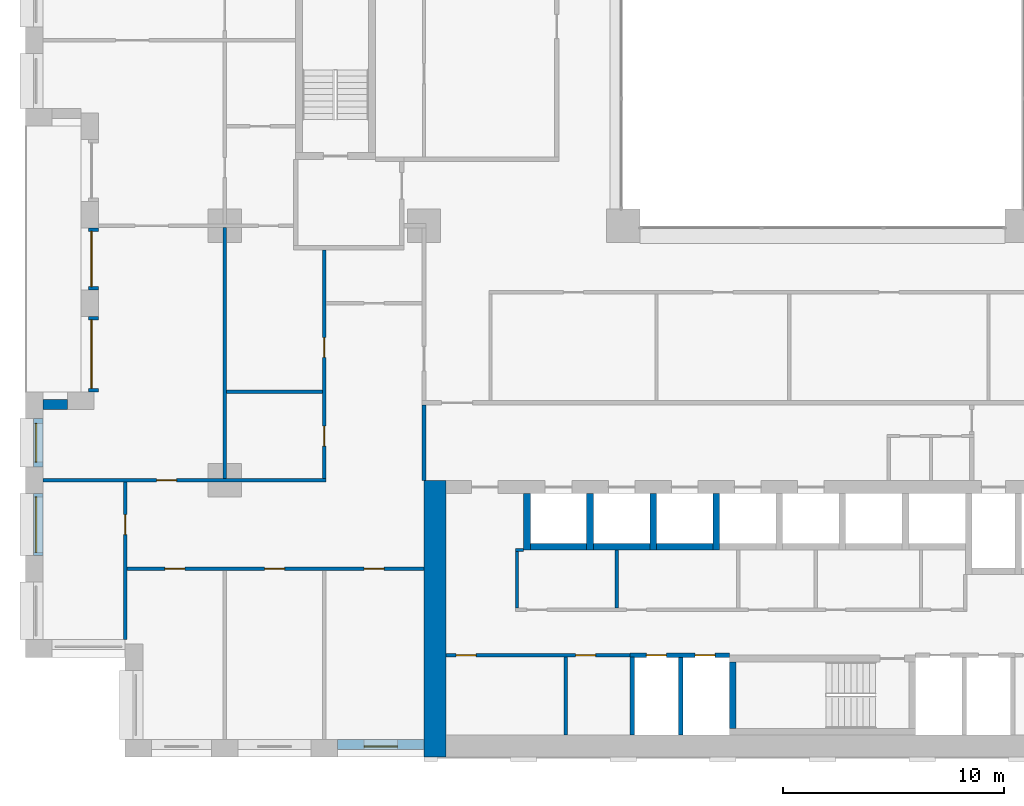
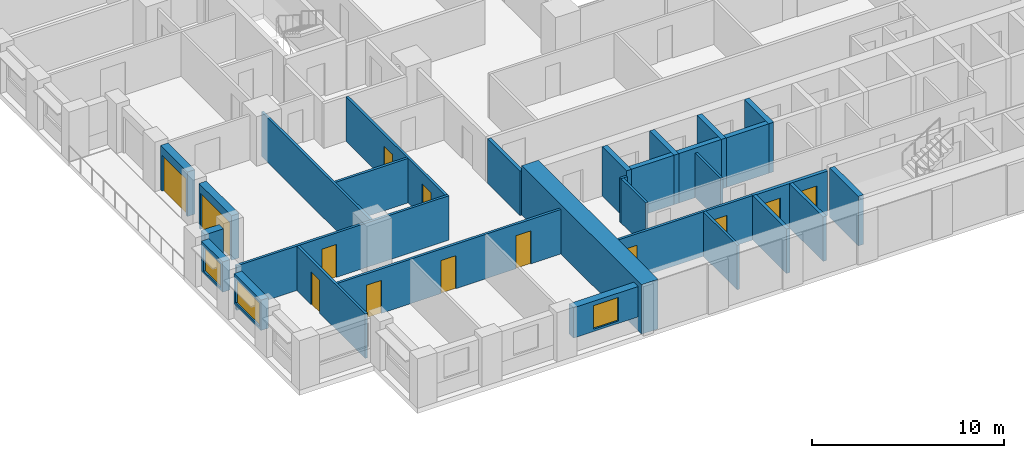
# One storey, part 9 of 19: 30 walls, 13 doors, 3 windows, 16 openings.
"""IFC4 building model written with IfcOpenShell, lengths in metres."""

from ifc_helpers import new_model, si_unit, direction, frame, frame_2d, origin, place, context, subcontext, project, spatial, rectangle, extrude, material, layer, layer_set, type_object, element, fill, save


model = new_model("IFC4")

# Units and contexts
model_context = context("Model", 3, precision=1e-05, world=origin(), true_north=direction((0.0, 1.0)))
body_context = subcontext(model_context, "Body", "Model", "MODEL_VIEW")
ifc_project = project(units=[si_unit("LENGTHUNIT", "METRE"), si_unit("AREAUNIT", "SQUARE_METRE"), si_unit("VOLUMEUNIT", "CUBIC_METRE"), si_unit("PLANEANGLEUNIT", "RADIAN"), si_unit("MASSUNIT", "GRAM", prefix="KILO")], contexts=[model_context])

# Site, building, storey
site_placement = place(None, origin())
site = spatial("IfcSite", under=ifc_project, at=site_placement, CompositionType="ELEMENT")
building_placement = place(site_placement, origin())
building = spatial("IfcBuilding", under=site, at=building_placement, Name="Brigalow Station Residences", CompositionType="ELEMENT")
storey_placement = place(building_placement, frame((0.0, 0.0, 28.949951171875)))
storey = spatial("IfcBuildingStorey", under=building, at=storey_placement, Name="L07", CompositionType="ELEMENT", Elevation=28.949951171875)

# Wall, opening, window
ifc_material_1 = material(Name="Clay brick masonry", Category="masonry")
ifc_layer_1 = layer(ifc_material_1, 0.449951171875)
ifc_layer_set_1 = layer_set([ifc_layer_1], Name="BRICK INFILL WALL 450")
wall_type_1 = type_object("IfcWallType", Name="BRICK INFILL WALL 450", PredefinedType="SOLIDWALL", material=ifc_layer_set_1)
wall_1_placement = place(storey_placement, frame((14.10009765625, 0.574951171875, 0.900146484375), z_axis=(0.0, 0.0, 1.0), x_axis=(1.0, 0.0, 0.0)))
wall_1 = element("IfcWall", 1, at=wall_1_placement, inside=storey, type_object=wall_type_1, Name="L07/ewall/W-L07-3", PredefinedType="SOLIDWALL", context=body_context, shape_type="SweptSolid", body=[
    extrude(rectangle(XDim=3.89990234375, YDim=0.449951171875, at=frame_2d((1.949951171875, 0.0))), origin(), (0.0, 0.0, 1.0), 1.929931640625),
])
opening_1_placement = place(wall_1_placement, frame((1.199951171875, 0.0, 0.14990234375)))
opening_1 = element("IfcOpeningElement", 2, at=opening_1_placement, cuts=wall_1, Name="Opening WT-1", PredefinedType="OPENING", context=body_context, shape_type="SweptSolid", body=[
    extrude(rectangle(XDim=1.5, YDim=1.5, at=frame_2d((0.75, 0.75))), frame((0.0, 0.23486328125, 0.0), z_axis=(0.0, -1.0, 0.0), x_axis=(1.0, 0.0, 0.0)), (0.0, 0.0, 1.0), 0.469970703125),
])
ifc_material_2 = material(Name="Anodised aluminium frame with double glazing", Category="aluminium")
window_type_1 = type_object("IfcWindowType", Name="WINDOW 1500x1500", PartitioningType="SINGLE_PANEL", PredefinedType="WINDOW", material=ifc_material_2)
window_1_placement = place(opening_1_placement, origin())
window_1 = element("IfcWindow", 3, at=window_1_placement, inside=storey, type_object=window_type_1, Name="L07/window/W-L07-3", OverallHeight=1.5, OverallWidth=1.5, PartitioningType="SINGLE_PANEL", PredefinedType="WINDOW", context=body_context, shape_type="SweptSolid", body=[
    extrude(rectangle(XDim=1.5, YDim=1.5, at=frame_2d((0.75, 0.75))), frame((0.0, -0.06494140625, 0.0), z_axis=(0.0, -1.0, 0.0), x_axis=(1.0, 0.0, 0.0)), (0.0, 0.0, 1.0), 0.06005859375),
])
fill(opening_1, window_1)

# Wall, opening, door
wall_2_placement = place(storey_placement, frame((3.074951171875, 23.89990234375, 0.0), z_axis=(0.0, 0.0, 1.0), x_axis=(0.0, -1.0, 0.0)))
wall_2 = element("IfcWall", 4, at=wall_2_placement, inside=storey, type_object=wall_type_1, Name="L07/ewall/W-L07-48", PredefinedType="SOLIDWALL", context=body_context, shape_type="SweptSolid", body=[
    extrude(rectangle(XDim=2.7998046875, YDim=0.449951171875, at=frame_2d((1.39990234375, 0.0))), origin(), (0.0, 0.0, 1.0), 2.830078125),
])
opening_2_placement = place(wall_2_placement, frame((0.14990234375, 0.0, 0.0)))
opening_2 = element("IfcOpeningElement", 5, at=opening_2_placement, cuts=wall_2, Name="Opening D-B2500", PredefinedType="OPENING", context=body_context, shape_type="SweptSolid", body=[
    extrude(rectangle(XDim=2.5, YDim=2.300048828125, at=frame_2d((1.25, 1.14990234375))), frame((0.0, 0.23486328125, 0.0), z_axis=(0.0, -1.0, 0.0), x_axis=(1.0, 0.0, 0.0)), (0.0, 0.0, 1.0), 0.469970703125),
])
ifc_material_3 = material(Name="Anodised aluminium frame with double glazing", Category="aluminium")
door_type_1 = type_object("IfcDoorType", Name="BALCONY SLIDING DOOR 2500x2300", OperationType="SLIDING_TO_LEFT", PredefinedType="DOOR", material=ifc_material_3)
door_1_placement = place(opening_2_placement, origin())
door_1 = element("IfcDoor", 6, at=door_1_placement, inside=storey, type_object=door_type_1, Name="L07/balcony-door/W-L07-48", OperationType="SLIDING_TO_LEFT", OverallHeight=2.300048828125, OverallWidth=2.5, PredefinedType="DOOR", context=body_context, shape_type="SweptSolid", body=[
    extrude(rectangle(XDim=2.5, YDim=2.300048828125, at=frame_2d((1.25, 1.14990234375))), frame((0.0, -0.06982421875, 0.0), z_axis=(0.0, -1.0, 0.0), x_axis=(1.0, 0.0, 0.0)), (0.0, 0.0, 1.0), 0.050048828125),
])
fill(opening_2, door_1)

wall_3_placement = place(storey_placement, frame((3.074951171875, 19.89990234375, 0.0), z_axis=(0.0, 0.0, 1.0), x_axis=(0.0, -1.0, 0.0)))
wall_3 = element("IfcWall", 7, at=wall_3_placement, inside=storey, type_object=wall_type_1, Name="L07/ewall/W-L07-49", PredefinedType="SOLIDWALL", context=body_context, shape_type="SweptSolid", body=[
    extrude(rectangle(XDim=3.39990234375, YDim=0.449951171875, at=frame_2d((1.699951171875, 0.0))), origin(), (0.0, 0.0, 1.0), 2.830078125),
])
opening_3_placement = place(wall_3_placement, frame((0.14990234375, 0.0, 0.0)))
opening_3 = element("IfcOpeningElement", 8, at=opening_3_placement, cuts=wall_3, Name="Opening D-B3100", PredefinedType="OPENING", context=body_context, shape_type="SweptSolid", body=[
    extrude(rectangle(XDim=3.10009765625, YDim=2.300048828125, at=frame_2d((1.550048828125, 1.14990234375))), frame((0.0, 0.23486328125, 0.0), z_axis=(0.0, -1.0, 0.0), x_axis=(1.0, 0.0, 0.0)), (0.0, 0.0, 1.0), 0.469970703125),
])
ifc_material_4 = material(Name="Anodised aluminium frame with double glazing", Category="aluminium")
door_type_2 = type_object("IfcDoorType", Name="BALCONY SLIDING DOOR 3100x2300", OperationType="SLIDING_TO_LEFT", PredefinedType="DOOR", material=ifc_material_4)
door_2_placement = place(opening_3_placement, origin())
door_2 = element("IfcDoor", 9, at=door_2_placement, inside=storey, type_object=door_type_2, Name="L07/balcony-door/W-L07-49", OperationType="SLIDING_TO_LEFT", OverallHeight=2.300048828125, OverallWidth=3.10009765625, PredefinedType="DOOR", context=body_context, shape_type="SweptSolid", body=[
    extrude(rectangle(XDim=3.10009765625, YDim=2.300048828125, at=frame_2d((1.550048828125, 1.14990234375))), frame((0.0, -0.06982421875, 0.0), z_axis=(0.0, -1.0, 0.0), x_axis=(1.0, 0.0, 0.0)), (0.0, 0.0, 1.0), 0.050048828125),
])
fill(opening_3, door_2)

# Wall
wall_4_placement = place(storey_placement, frame((1.89990234375, 15.925048828125, 0.900146484375), z_axis=(0.0, 0.0, 1.0), x_axis=(-1.0, 0.0, 0.0)))
element("IfcWall", 10, at=wall_4_placement, inside=storey, type_object=wall_type_1, Name="L07/ewall/W-L07-50", PredefinedType="SOLIDWALL", context=body_context, shape_type="SweptSolid", body=[
    extrude(rectangle(XDim=1.099853515625, YDim=0.449951171875, at=frame_2d((0.5498046875, 0.0))), origin(), (0.0, 0.0, 1.0), 1.929931640625),
])

# Wall, opening, window
wall_5_placement = place(storey_placement, frame((0.574951171875, 15.300048828125, 0.900146484375), z_axis=(0.0, 0.0, 1.0), x_axis=(0.0, -1.0, 0.0)))
wall_5 = element("IfcWall", 11, at=wall_5_placement, inside=storey, type_object=wall_type_1, Name="L07/ewall/W-L07-51", PredefinedType="SOLIDWALL", context=body_context, shape_type="SweptSolid", body=[
    extrude(rectangle(XDim=2.199951171875, YDim=0.449951171875, at=frame_2d((1.10009765625, 0.0))), origin(), (0.0, 0.0, 1.0), 1.929931640625),
])
opening_4_placement = place(wall_5_placement, frame((0.22509765625, 0.0, 0.14990234375)))
opening_4 = element("IfcOpeningElement", 12, at=opening_4_placement, cuts=wall_5, Name="Opening WT-4", PredefinedType="OPENING", context=body_context, shape_type="SweptSolid", body=[
    extrude(rectangle(XDim=1.75, YDim=1.5, at=frame_2d((0.875, 0.75))), frame((0.0, 0.23486328125, 0.0), z_axis=(0.0, -1.0, 0.0), x_axis=(1.0, 0.0, 0.0)), (0.0, 0.0, 1.0), 0.469970703125),
])
ifc_material_5 = material(Name="Anodised aluminium frame with double glazing", Category="aluminium")
window_type_2 = type_object("IfcWindowType", Name="WINDOW 1750x1500", PartitioningType="SINGLE_PANEL", PredefinedType="WINDOW", material=ifc_material_5)
window_2_placement = place(opening_4_placement, origin())
window_2 = element("IfcWindow", 13, at=window_2_placement, inside=storey, type_object=window_type_2, Name="L07/window/W-L07-51", OverallHeight=1.5, OverallWidth=1.75, PartitioningType="SINGLE_PANEL", PredefinedType="WINDOW", context=body_context, shape_type="SweptSolid", body=[
    extrude(rectangle(XDim=1.75, YDim=1.5, at=frame_2d((0.875, 0.75))), frame((0.0, -0.06494140625, 0.0), z_axis=(0.0, -1.0, 0.0), x_axis=(1.0, 0.0, 0.0)), (0.0, 0.0, 1.0), 0.06005859375),
])
fill(opening_4, window_2)

wall_6_placement = place(storey_placement, frame((0.574951171875, 11.89990234375, 0.900146484375), z_axis=(0.0, 0.0, 1.0), x_axis=(0.0, -1.0, 0.0)))
wall_6 = element("IfcWall", 14, at=wall_6_placement, inside=storey, type_object=wall_type_1, Name="L07/ewall/W-L07-52", PredefinedType="SOLIDWALL", context=body_context, shape_type="SweptSolid", body=[
    extrude(rectangle(XDim=2.7998046875, YDim=0.449951171875, at=frame_2d((1.39990234375, 0.0))), origin(), (0.0, 0.0, 1.0), 1.929931640625),
])
opening_5_placement = place(wall_6_placement, frame((0.14990234375, 0.0, 0.14990234375)))
opening_5 = element("IfcOpeningElement", 15, at=opening_5_placement, cuts=wall_6, Name="Opening WT-5", PredefinedType="OPENING", context=body_context, shape_type="SweptSolid", body=[
    extrude(rectangle(XDim=2.5, YDim=1.5, at=frame_2d((1.25, 0.75))), frame((0.0, 0.23486328125, 0.0), z_axis=(0.0, -1.0, 0.0), x_axis=(1.0, 0.0, 0.0)), (0.0, 0.0, 1.0), 0.469970703125),
])
ifc_material_6 = material(Name="Anodised aluminium frame with double glazing", Category="aluminium")
window_type_3 = type_object("IfcWindowType", Name="WINDOW 2500x1500", PartitioningType="SINGLE_PANEL", PredefinedType="WINDOW", material=ifc_material_6)
window_3_placement = place(opening_5_placement, origin())
window_3 = element("IfcWindow", 16, at=window_3_placement, inside=storey, type_object=window_type_3, Name="L07/window/W-L07-52", OverallHeight=1.5, OverallWidth=2.5, PartitioningType="SINGLE_PANEL", PredefinedType="WINDOW", context=body_context, shape_type="SweptSolid", body=[
    extrude(rectangle(XDim=2.5, YDim=1.5, at=frame_2d((1.25, 0.75))), frame((0.0, -0.06494140625, 0.0), z_axis=(0.0, -1.0, 0.0), x_axis=(1.0, 0.0, 0.0)), (0.0, 0.0, 1.0), 0.06005859375),
])
fill(opening_5, window_3)

# Walls
ifc_material_7 = material(Name="Concrete C80", Category="concrete")
ifc_layer_2 = layer(ifc_material_7, 1.0)
ifc_layer_set_2 = layer_set([ifc_layer_2], Name="CORE SHEAR WALL 1000 C80")
wall_type_2 = type_object("IfcWallType", Name="CORE SHEAR WALL 1000 C80", PredefinedType="SHEAR", material=ifc_layer_set_2)
wall_7_placement = place(storey_placement, frame((18.5, 0.0, 0.0), z_axis=(0.0, 0.0, 1.0), x_axis=(0.0, 1.0, 0.0)))
element("IfcWall", 17, at=wall_7_placement, inside=storey, type_object=wall_type_2, Name="CORE WALL OUT-W L07", PredefinedType="SHEAR", context=body_context, shape_type="SweptSolid", body=[
    extrude(rectangle(XDim=12.5, YDim=1.0, at=frame_2d((6.25, 0.0))), origin(), (0.0, 0.0, 1.0), 3.150146484375),
])
ifc_material_8 = material(Name="Concrete C80", Category="concrete")
ifc_layer_3 = layer(ifc_material_8, 0.300048828125)
ifc_layer_set_3 = layer_set([ifc_layer_3], Name="CORE SHEAR WALL 300 C80")
wall_type_3 = type_object("IfcWallType", Name="CORE SHEAR WALL 300 C80", PredefinedType="SHEAR", material=ifc_layer_set_3)
wall_8_placement = place(storey_placement, frame((22.800048828125, 9.5, 0.0), z_axis=(0.0, 0.0, 1.0), x_axis=(1.0, 0.0, 0.0)))
element("IfcWall", 18, at=wall_8_placement, inside=storey, type_object=wall_type_3, Name="CORE WALL SH-P1-S L07", PredefinedType="SHEAR", context=body_context, shape_type="SweptSolid", body=[
    extrude(rectangle(XDim=2.550048828125, YDim=0.300048828125, at=frame_2d((1.27490234375, 0.0))), origin(), (0.0, 0.0, 1.0), 3.150146484375),
])
wall_9_placement = place(storey_placement, frame((22.64990234375, 9.35009765625, 0.0), z_axis=(0.0, 0.0, 1.0), x_axis=(0.0, 1.0, 0.0)))
element("IfcWall", 19, at=wall_9_placement, inside=storey, type_object=wall_type_3, Name="CORE WALL SH-P1-W L07", PredefinedType="SHEAR", context=body_context, shape_type="SweptSolid", body=[
    extrude(rectangle(XDim=2.5498046875, YDim=0.300048828125, at=frame_2d((1.27490234375, 0.0))), origin(), (0.0, 0.0, 1.0), 3.150146484375),
])
wall_10_placement = place(storey_placement, frame((25.64990234375, 9.5, 0.0), z_axis=(0.0, 0.0, 1.0), x_axis=(1.0, 0.0, 0.0)))
element("IfcWall", 20, at=wall_10_placement, inside=storey, type_object=wall_type_3, Name="CORE WALL SH-P2-S L07", PredefinedType="SHEAR", context=body_context, shape_type="SweptSolid", body=[
    extrude(rectangle(XDim=2.550048828125, YDim=0.300048828125, at=frame_2d((1.27490234375, 0.0))), origin(), (0.0, 0.0, 1.0), 3.150146484375),
])
wall_11_placement = place(storey_placement, frame((25.5, 9.35009765625, 0.0), z_axis=(0.0, 0.0, 1.0), x_axis=(0.0, 1.0, 0.0)))
element("IfcWall", 21, at=wall_11_placement, inside=storey, type_object=wall_type_3, Name="CORE WALL SH-P2-W L07", PredefinedType="SHEAR", context=body_context, shape_type="SweptSolid", body=[
    extrude(rectangle(XDim=2.5498046875, YDim=0.300048828125, at=frame_2d((1.27490234375, 0.0))), origin(), (0.0, 0.0, 1.0), 3.150146484375),
])
wall_12_placement = place(storey_placement, frame((28.5, 9.5, 0.0), z_axis=(0.0, 0.0, 1.0), x_axis=(1.0, 0.0, 0.0)))
element("IfcWall", 22, at=wall_12_placement, inside=storey, type_object=wall_type_3, Name="CORE WALL SH-P3-S L07", PredefinedType="SHEAR", context=body_context, shape_type="SweptSolid", body=[
    extrude(rectangle(XDim=2.550048828125, YDim=0.300048828125, at=frame_2d((1.27490234375, 0.0))), origin(), (0.0, 0.0, 1.0), 3.150146484375),
])
for number, where, z_axis, x_axis, name in (
    (23, (28.35009765625, 9.35009765625, 0.0), (0.0, 0.0, 1.0), (0.0, 1.0, 0.0), "CORE WALL SH-P3-W L07"),
    (24, (31.199951171875, 9.35009765625, 0.0), (0.0, 0.0, 1.0), (0.0, 1.0, 0.0), "CORE WALL SH-P4-W L07"),
):
    element("IfcWall", number, at=place(storey_placement, frame(where, z_axis=z_axis, x_axis=x_axis)), inside=storey, type_object=wall_type_3, Name=name, PredefinedType="SHEAR", context=body_context, shape_type="SweptSolid", body=[
        extrude(rectangle(XDim=2.5498046875, YDim=0.300048828125, at=frame_2d((1.27490234375, 0.0))), origin(), (0.0, 0.0, 1.0), 3.150146484375),
    ])
wall_13_placement = place(storey_placement, frame((31.949951171875, 1.300048828125, 0.0), z_axis=(0.0, 0.0, 1.0), x_axis=(0.0, 1.0, 0.0)))
element("IfcWall", 25, at=wall_13_placement, inside=storey, type_object=wall_type_3, Name="CORE WALL ST-S2-W L07", PredefinedType="SHEAR", context=body_context, shape_type="SweptSolid", body=[
    extrude(rectangle(XDim=3.0, YDim=0.300048828125, at=frame_2d((1.5, 0.0))), origin(), (0.0, 0.0, 1.0), 3.150146484375),
])

# Wall, openings, doors
ifc_material_9 = material(Name="Concrete blockwork", Category="masonry")
ifc_layer_4 = layer(ifc_material_9, 0.199951171875)
ifc_layer_set_4 = layer_set([ifc_layer_4], Name="FIRE RATED CORE PARTITION 200")
wall_type_4 = type_object("IfcWallType", Name="FIRE RATED CORE PARTITION 200", PredefinedType="PARTITIONING", material=ifc_layer_set_4)
wall_14_placement = place(storey_placement, frame((27.300048828125, 4.60009765625, 0.0), z_axis=(0.0, 0.0, 1.0), x_axis=(1.0, 0.0, 0.0)))
wall_14 = element("IfcWall", 26, at=wall_14_placement, inside=storey, type_object=wall_type_4, Name="PW-5017", PredefinedType="PARTITIONING", context=body_context, shape_type="SweptSolid", body=[
    extrude(rectangle(XDim=4.5, YDim=0.199951171875, at=frame_2d((2.25, 0.0))), origin(), (0.0, 0.0, 1.0), 2.830078125),
])
opening_6_placement = place(wall_14_placement, frame((0.75, 0.0, 0.0)))
opening_6 = element("IfcOpeningElement", 27, at=opening_6_placement, cuts=wall_14, Name="Opening D-5007", PredefinedType="OPENING", context=body_context, shape_type="SweptSolid", body=[
    extrude(rectangle(XDim=0.89990234375, YDim=2.10009765625, at=frame_2d((0.449951171875, 1.050048828125))), frame((0.0, 0.10986328125, 0.0), z_axis=(0.0, -1.0, 0.0), x_axis=(1.0, 0.0, 0.0)), (0.0, 0.0, 1.0), 0.219970703125),
])
opening_7_placement = place(wall_14_placement, frame((2.949951171875, 0.0, 0.0)))
opening_7 = element("IfcOpeningElement", 28, at=opening_7_placement, cuts=wall_14, Name="Opening D-5008", PredefinedType="OPENING", context=body_context, shape_type="SweptSolid", body=[
    extrude(rectangle(XDim=0.89990234375, YDim=2.10009765625, at=frame_2d((0.449951171875, 1.050048828125))), frame((0.0, 0.10986328125, 0.0), z_axis=(0.0, -1.0, 0.0), x_axis=(1.0, 0.0, 0.0)), (0.0, 0.0, 1.0), 0.219970703125),
])
ifc_material_10 = material(Name="Steel fire door leaf in steel frame", Category="steel")
door_type_3 = type_object("IfcDoorType", Name="RISER ACCESS DOOR 900 x 2100 FD120", OperationType="SINGLE_SWING_LEFT", PredefinedType="DOOR", material=ifc_material_10)
door_3_placement = place(opening_6_placement, frame((0.89990234375, 0.0, 0.0), z_axis=(0.0, 0.0, 1.0), x_axis=(-1.0, 0.0, 0.0)))
door_3 = element("IfcDoor", 29, at=door_3_placement, inside=storey, type_object=door_type_3, Name="D-5007", OperationType="SINGLE_SWING_LEFT", OverallHeight=2.10009765625, OverallWidth=0.89990234375, PredefinedType="DOOR", context=body_context, shape_type="SweptSolid", body=[
    extrude(rectangle(XDim=0.89990234375, YDim=2.10009765625, at=frame_2d((0.449951171875, 1.050048828125))), frame((0.0, 0.02490234375, 0.0), z_axis=(0.0, -1.0, 0.0), x_axis=(1.0, 0.0, 0.0)), (0.0, 0.0, 1.0), 0.050048828125),
])
fill(opening_6, door_3)
door_4_placement = place(opening_7_placement, frame((0.89990234375, 0.0, 0.0), z_axis=(0.0, 0.0, 1.0), x_axis=(-1.0, 0.0, 0.0)))
door_4 = element("IfcDoor", 30, at=door_4_placement, inside=storey, type_object=door_type_3, Name="D-5008", OperationType="SINGLE_SWING_RIGHT", OverallHeight=2.10009765625, OverallWidth=0.89990234375, PredefinedType="DOOR", context=body_context, shape_type="SweptSolid", body=[
    extrude(rectangle(XDim=0.89990234375, YDim=2.10009765625, at=frame_2d((0.449951171875, 1.050048828125))), frame((0.0, 0.02490234375, 0.0), z_axis=(0.0, -1.0, 0.0), x_axis=(1.0, 0.0, 0.0)), (0.0, 0.0, 1.0), 0.050048828125),
])
fill(opening_7, door_4)

# Walls
wall_15_placement = place(storey_placement, frame((27.39990234375, 1.0, 0.0), z_axis=(0.0, 0.0, 1.0), x_axis=(0.0, 1.0, 0.0)))
element("IfcWall", 31, at=wall_15_placement, inside=storey, type_object=wall_type_4, Name="PW-5027", PredefinedType="PARTITIONING", context=body_context, shape_type="SweptSolid", body=[
    extrude(rectangle(XDim=3.52490234375, YDim=0.199951171875, at=frame_2d((1.762451171875, 0.0))), origin(), (0.0, 0.0, 1.0), 2.830078125),
])
wall_16_placement = place(storey_placement, frame((29.60009765625, 1.0, 0.0), z_axis=(0.0, 0.0, 1.0), x_axis=(0.0, 1.0, 0.0)))
element("IfcWall", 32, at=wall_16_placement, inside=storey, type_object=wall_type_4, Name="PW-5006", PredefinedType="PARTITIONING", context=body_context, shape_type="SweptSolid", body=[
    extrude(rectangle(XDim=3.5, YDim=0.199951171875, at=frame_2d((1.75, 0.0))), origin(), (0.0, 0.0, 1.0), 2.830078125),
])
wall_17_placement = place(storey_placement, frame((18.0, 12.5, 0.0), z_axis=(0.0, 0.0, 1.0), x_axis=(0.0, 1.0, 0.0)))
element("IfcWall", 33, at=wall_17_placement, inside=storey, type_object=wall_type_4, Name="PW-5013", PredefinedType="PARTITIONING", context=body_context, shape_type="SweptSolid", body=[
    extrude(rectangle(XDim=3.39990234375, YDim=0.199951171875, at=frame_2d((1.699951171875, 0.0))), origin(), (0.0, 0.0, 1.0), 2.830078125),
])

# Wall, opening, door
ifc_material_11 = material(Name="Plasterboard on steel stud partition", Category="steel")
ifc_layer_5 = layer(ifc_material_11, 0.14990234375)
ifc_layer_set_5 = layer_set([ifc_layer_5], Name="FLAT PARTITION 150")
wall_type_5 = type_object("IfcWallType", Name="FLAT PARTITION 150", PredefinedType="PARTITIONING", material=ifc_layer_set_5)
wall_18_placement = place(storey_placement, frame((0.800048828125, 12.5, 0.0), z_axis=(0.0, 0.0, 1.0), x_axis=(1.0, 0.0, 0.0)))
wall_18 = element("IfcWall", 34, at=wall_18_placement, inside=storey, type_object=wall_type_5, Name="PW-1B10", PredefinedType="PARTITIONING", context=body_context, shape_type="SweptSolid", body=[
    extrude(rectangle(XDim=12.77490234375, YDim=0.14990234375, at=frame_2d((6.387451171875, 0.0))), origin(), (0.0, 0.0, 1.0), 2.830078125),
])
opening_8_placement = place(wall_18_placement, frame((5.125, 0.0, 0.0)))
opening_8 = element("IfcOpeningElement", 35, at=opening_8_placement, cuts=wall_18, Name="Opening D-1B12", PredefinedType="OPENING", context=body_context, shape_type="SweptSolid", body=[
    extrude(rectangle(XDim=0.89990234375, YDim=2.10009765625, at=frame_2d((0.449951171875, 1.050048828125))), frame((0.0, 0.0849609375, 0.0), z_axis=(0.0, -1.0, 0.0), x_axis=(1.0, 0.0, 0.0)), (0.0, 0.0, 1.0), 0.169921875),
])
ifc_material_12 = material(Name="Solid-core timber door leaf", Category="wood")
door_type_4 = type_object("IfcDoorType", Name="INTERNAL DOOR 900 x 2100", OperationType="SINGLE_SWING_LEFT", PredefinedType="DOOR", material=ifc_material_12)
door_5_placement = place(opening_8_placement, origin())
door_5 = element("IfcDoor", 36, at=door_5_placement, inside=storey, type_object=door_type_4, Name="D-1B12", OperationType="SINGLE_SWING_RIGHT", OverallHeight=2.10009765625, OverallWidth=0.89990234375, PredefinedType="DOOR", context=body_context, shape_type="SweptSolid", body=[
    extrude(rectangle(XDim=0.89990234375, YDim=2.10009765625, at=frame_2d((0.449951171875, 1.050048828125))), frame((0.0, 0.02490234375, 0.0), z_axis=(0.0, -1.0, 0.0), x_axis=(1.0, 0.0, 0.0)), (0.0, 0.0, 1.0), 0.050048828125),
])
fill(opening_8, door_5)

# Wall, openings, doors
wall_19_placement = place(storey_placement, frame((4.574951171875, 8.5, 0.0), z_axis=(0.0, 0.0, 1.0), x_axis=(1.0, 0.0, 0.0)))
wall_19 = element("IfcWall", 37, at=wall_19_placement, inside=storey, type_object=wall_type_5, Name="PW-1B12", PredefinedType="PARTITIONING", context=body_context, shape_type="SweptSolid", body=[
    extrude(rectangle(XDim=13.425048828125, YDim=0.14990234375, at=frame_2d((6.71240234375, 0.0))), origin(), (0.0, 0.0, 1.0), 2.830078125),
])
opening_9_placement = place(wall_19_placement, frame((1.72509765625, 0.0, 0.0)))
opening_9 = element("IfcOpeningElement", 38, at=opening_9_placement, cuts=wall_19, Name="Opening D-1B04", PredefinedType="OPENING", context=body_context, shape_type="SweptSolid", body=[
    extrude(rectangle(XDim=0.89990234375, YDim=2.10009765625, at=frame_2d((0.449951171875, 1.050048828125))), frame((0.0, 0.0849609375, 0.0), z_axis=(0.0, -1.0, 0.0), x_axis=(1.0, 0.0, 0.0)), (0.0, 0.0, 1.0), 0.169921875),
])
opening_10_placement = place(wall_19_placement, frame((6.22509765625, 0.0, 0.0)))
opening_10 = element("IfcOpeningElement", 39, at=opening_10_placement, cuts=wall_19, Name="Opening D-1B05", PredefinedType="OPENING", context=body_context, shape_type="SweptSolid", body=[
    extrude(rectangle(XDim=0.89990234375, YDim=2.10009765625, at=frame_2d((0.449951171875, 1.050048828125))), frame((0.0, 0.0849609375, 0.0), z_axis=(0.0, -1.0, 0.0), x_axis=(1.0, 0.0, 0.0)), (0.0, 0.0, 1.0), 0.169921875),
])
opening_11_placement = place(wall_19_placement, frame((10.72509765625, 0.0, 0.0)))
opening_11 = element("IfcOpeningElement", 40, at=opening_11_placement, cuts=wall_19, Name="Opening D-1B06", PredefinedType="OPENING", context=body_context, shape_type="SweptSolid", body=[
    extrude(rectangle(XDim=0.89990234375, YDim=2.10009765625, at=frame_2d((0.449951171875, 1.050048828125))), frame((0.0, 0.0849609375, 0.0), z_axis=(0.0, -1.0, 0.0), x_axis=(1.0, 0.0, 0.0)), (0.0, 0.0, 1.0), 0.169921875),
])
door_6_placement = place(opening_9_placement, frame((0.89990234375, 0.0, 0.0), z_axis=(0.0, 0.0, 1.0), x_axis=(-1.0, 0.0, 0.0)))
door_6 = element("IfcDoor", 41, at=door_6_placement, inside=storey, type_object=door_type_4, Name="D-1B04", OperationType="SINGLE_SWING_RIGHT", OverallHeight=2.10009765625, OverallWidth=0.89990234375, PredefinedType="DOOR", context=body_context, shape_type="SweptSolid", body=[
    extrude(rectangle(XDim=0.89990234375, YDim=2.10009765625, at=frame_2d((0.449951171875, 1.050048828125))), frame((0.0, 0.02490234375, 0.0), z_axis=(0.0, -1.0, 0.0), x_axis=(1.0, 0.0, 0.0)), (0.0, 0.0, 1.0), 0.050048828125),
])
fill(opening_9, door_6)
door_7_placement = place(opening_10_placement, frame((0.89990234375, 0.0, 0.0), z_axis=(0.0, 0.0, 1.0), x_axis=(-1.0, 0.0, 0.0)))
door_7 = element("IfcDoor", 42, at=door_7_placement, inside=storey, type_object=door_type_4, Name="D-1B05", OperationType="SINGLE_SWING_RIGHT", OverallHeight=2.10009765625, OverallWidth=0.89990234375, PredefinedType="DOOR", context=body_context, shape_type="SweptSolid", body=[
    extrude(rectangle(XDim=0.89990234375, YDim=2.10009765625, at=frame_2d((0.449951171875, 1.050048828125))), frame((0.0, 0.02490234375, 0.0), z_axis=(0.0, -1.0, 0.0), x_axis=(1.0, 0.0, 0.0)), (0.0, 0.0, 1.0), 0.050048828125),
])
fill(opening_10, door_7)
door_8_placement = place(opening_11_placement, frame((0.89990234375, 0.0, 0.0), z_axis=(0.0, 0.0, 1.0), x_axis=(-1.0, 0.0, 0.0)))
door_8 = element("IfcDoor", 43, at=door_8_placement, inside=storey, type_object=door_type_4, Name="D-1B06", OperationType="SINGLE_SWING_RIGHT", OverallHeight=2.10009765625, OverallWidth=0.89990234375, PredefinedType="DOOR", context=body_context, shape_type="SweptSolid", body=[
    extrude(rectangle(XDim=0.89990234375, YDim=2.10009765625, at=frame_2d((0.449951171875, 1.050048828125))), frame((0.0, 0.02490234375, 0.0), z_axis=(0.0, -1.0, 0.0), x_axis=(1.0, 0.0, 0.0)), (0.0, 0.0, 1.0), 0.050048828125),
])
fill(opening_11, door_8)

# Wall
wall_20_placement = place(storey_placement, frame((9.074951171875, 16.5, 0.0), z_axis=(0.0, 0.0, 1.0), x_axis=(1.0, 0.0, 0.0)))
element("IfcWall", 44, at=wall_20_placement, inside=storey, type_object=wall_type_5, Name="PW-1B15", PredefinedType="PARTITIONING", context=body_context, shape_type="SweptSolid", body=[
    extrude(rectangle(XDim=4.35009765625, YDim=0.14990234375, at=frame_2d((2.175048828125, 0.0))), origin(), (0.0, 0.0, 1.0), 2.830078125),
])

# Wall, opening, door
wall_21_placement = place(storey_placement, frame((4.5, 5.300048828125, 0.0), z_axis=(0.0, 0.0, 1.0), x_axis=(0.0, 1.0, 0.0)))
wall_21 = element("IfcWall", 45, at=wall_21_placement, inside=storey, type_object=wall_type_5, Name="PW-1B49", PredefinedType="PARTITIONING", context=body_context, shape_type="SweptSolid", body=[
    extrude(rectangle(XDim=7.125, YDim=0.14990234375, at=frame_2d((3.5625, 0.0))), origin(), (0.0, 0.0, 1.0), 2.830078125),
])
opening_12_placement = place(wall_21_placement, frame((4.75, 0.0, 0.0)))
opening_12 = element("IfcOpeningElement", 46, at=opening_12_placement, cuts=wall_21, Name="Opening D-1B10", PredefinedType="OPENING", context=body_context, shape_type="SweptSolid", body=[
    extrude(rectangle(XDim=0.89990234375, YDim=2.10009765625, at=frame_2d((0.449951171875, 1.050048828125))), frame((0.0, 0.0849609375, 0.0), z_axis=(0.0, -1.0, 0.0), x_axis=(1.0, 0.0, 0.0)), (0.0, 0.0, 1.0), 0.169921875),
])
door_9_placement = place(opening_12_placement, origin())
door_9 = element("IfcDoor", 47, at=door_9_placement, inside=storey, type_object=door_type_4, Name="D-1B10", OperationType="SINGLE_SWING_RIGHT", OverallHeight=2.10009765625, OverallWidth=0.89990234375, PredefinedType="DOOR", context=body_context, shape_type="SweptSolid", body=[
    extrude(rectangle(XDim=0.89990234375, YDim=2.10009765625, at=frame_2d((0.449951171875, 1.050048828125))), frame((0.0, 0.02490234375, 0.0), z_axis=(0.0, -1.0, 0.0), x_axis=(1.0, 0.0, 0.0)), (0.0, 0.0, 1.0), 0.050048828125),
])
fill(opening_12, door_9)

# Wall
wall_22_placement = place(storey_placement, frame((9.0, 12.574951171875, 0.0), z_axis=(0.0, 0.0, 1.0), x_axis=(0.0, 1.0, 0.0)))
element("IfcWall", 48, at=wall_22_placement, inside=storey, type_object=wall_type_5, Name="PW-1B51", PredefinedType="PARTITIONING", context=body_context, shape_type="SweptSolid", body=[
    extrude(rectangle(XDim=11.35009765625, YDim=0.14990234375, at=frame_2d((5.675048828125, 0.0))), origin(), (0.0, 0.0, 1.0), 2.830078125),
])

# Wall, openings, doors
wall_23_placement = place(storey_placement, frame((13.5, 12.574951171875, 0.0), z_axis=(0.0, 0.0, 1.0), x_axis=(0.0, 1.0, 0.0)))
wall_23 = element("IfcWall", 49, at=wall_23_placement, inside=storey, type_object=wall_type_5, Name="PW-1B57", PredefinedType="PARTITIONING", context=body_context, shape_type="SweptSolid", body=[
    extrude(rectangle(XDim=10.324951171875, YDim=0.14990234375, at=frame_2d((5.16259765625, 0.0))), origin(), (0.0, 0.0, 1.0), 2.830078125),
])
opening_13_placement = place(wall_23_placement, frame((1.47509765625, 0.0, 0.0)))
opening_13 = element("IfcOpeningElement", 50, at=opening_13_placement, cuts=wall_23, Name="Opening D-1B03", PredefinedType="OPENING", context=body_context, shape_type="SweptSolid", body=[
    extrude(rectangle(XDim=0.89990234375, YDim=2.10009765625, at=frame_2d((0.449951171875, 1.050048828125))), frame((0.0, 0.0849609375, 0.0), z_axis=(0.0, -1.0, 0.0), x_axis=(1.0, 0.0, 0.0)), (0.0, 0.0, 1.0), 0.169921875),
])
opening_14_placement = place(wall_23_placement, frame((5.47509765625, 0.0, 0.0)))
opening_14 = element("IfcOpeningElement", 51, at=opening_14_placement, cuts=wall_23, Name="Opening D-1B11", PredefinedType="OPENING", context=body_context, shape_type="SweptSolid", body=[
    extrude(rectangle(XDim=0.89990234375, YDim=2.10009765625, at=frame_2d((0.449951171875, 1.050048828125))), frame((0.0, 0.0849609375, 0.0), z_axis=(0.0, -1.0, 0.0), x_axis=(1.0, 0.0, 0.0)), (0.0, 0.0, 1.0), 0.169921875),
])
door_10_placement = place(opening_13_placement, origin())
door_10 = element("IfcDoor", 52, at=door_10_placement, inside=storey, type_object=door_type_4, Name="D-1B03", OperationType="SINGLE_SWING_RIGHT", OverallHeight=2.10009765625, OverallWidth=0.89990234375, PredefinedType="DOOR", context=body_context, shape_type="SweptSolid", body=[
    extrude(rectangle(XDim=0.89990234375, YDim=2.10009765625, at=frame_2d((0.449951171875, 1.050048828125))), frame((0.0, 0.02490234375, 0.0), z_axis=(0.0, -1.0, 0.0), x_axis=(1.0, 0.0, 0.0)), (0.0, 0.0, 1.0), 0.050048828125),
])
fill(opening_13, door_10)
door_11_placement = place(opening_14_placement, origin())
door_11 = element("IfcDoor", 53, at=door_11_placement, inside=storey, type_object=door_type_4, Name="D-1B11", OperationType="SINGLE_SWING_LEFT", OverallHeight=2.10009765625, OverallWidth=0.89990234375, PredefinedType="DOOR", context=body_context, shape_type="SweptSolid", body=[
    extrude(rectangle(XDim=0.89990234375, YDim=2.10009765625, at=frame_2d((0.449951171875, 1.050048828125))), frame((0.0, 0.02490234375, 0.0), z_axis=(0.0, -1.0, 0.0), x_axis=(1.0, 0.0, 0.0)), (0.0, 0.0, 1.0), 0.050048828125),
])
fill(opening_14, door_11)

ifc_material_13 = material(Name="Plasterboard on steel studs", Category="steel")
ifc_layer_6 = layer(ifc_material_13, 0.14990234375)
ifc_layer_set_6 = layer_set([ifc_layer_6], Name="SERVICE ROOM PARTITION 150")
wall_type_6 = type_object("IfcWallType", Name="SERVICE ROOM PARTITION 150", PredefinedType="PARTITIONING", material=ifc_layer_set_6)
wall_24_placement = place(storey_placement, frame((19.0, 4.60009765625, 0.0), z_axis=(0.0, 0.0, 1.0), x_axis=(1.0, 0.0, 0.0)))
wall_24 = element("IfcWall", 54, at=wall_24_placement, inside=storey, type_object=wall_type_6, Name="PW-5019", PredefinedType="PARTITIONING", context=body_context, shape_type="SweptSolid", body=[
    extrude(rectangle(XDim=8.300048828125, YDim=0.14990234375, at=frame_2d((4.14990234375, 0.0))), origin(), (0.0, 0.0, 1.0), 2.830078125),
])
opening_15_placement = place(wall_24_placement, frame((0.449951171875, 0.0, 0.0)))
opening_15 = element("IfcOpeningElement", 55, at=opening_15_placement, cuts=wall_24, Name="Opening D-5025", PredefinedType="OPENING", context=body_context, shape_type="SweptSolid", body=[
    extrude(rectangle(XDim=0.89990234375, YDim=2.10009765625, at=frame_2d((0.449951171875, 1.050048828125))), frame((0.0, 0.0849609375, 0.0), z_axis=(0.0, -1.0, 0.0), x_axis=(1.0, 0.0, 0.0)), (0.0, 0.0, 1.0), 0.169921875),
])
opening_16_placement = place(wall_24_placement, frame((5.85009765625, 0.0, 0.0)))
opening_16 = element("IfcOpeningElement", 56, at=opening_16_placement, cuts=wall_24, Name="Opening D-5035", PredefinedType="OPENING", context=body_context, shape_type="SweptSolid", body=[
    extrude(rectangle(XDim=0.89990234375, YDim=2.10009765625, at=frame_2d((0.449951171875, 1.050048828125))), frame((0.0, 0.0849609375, 0.0), z_axis=(0.0, -1.0, 0.0), x_axis=(1.0, 0.0, 0.0)), (0.0, 0.0, 1.0), 0.169921875),
])
ifc_material_14 = material(Name="Steel door leaf in steel frame", Category="steel")
door_type_5 = type_object("IfcDoorType", Name="SERVICE ROOM DOOR 900 x 2100 FD60", OperationType="SINGLE_SWING_LEFT", PredefinedType="DOOR", material=ifc_material_14)
door_12_placement = place(opening_15_placement, frame((0.89990234375, 0.0, 0.0), z_axis=(0.0, 0.0, 1.0), x_axis=(-1.0, 0.0, 0.0)))
door_12 = element("IfcDoor", 57, at=door_12_placement, inside=storey, type_object=door_type_5, Name="D-5025", OperationType="SINGLE_SWING_RIGHT", OverallHeight=2.10009765625, OverallWidth=0.89990234375, PredefinedType="DOOR", context=body_context, shape_type="SweptSolid", body=[
    extrude(rectangle(XDim=0.89990234375, YDim=2.10009765625, at=frame_2d((0.449951171875, 1.050048828125))), frame((0.0, 0.02490234375, 0.0), z_axis=(0.0, -1.0, 0.0), x_axis=(1.0, 0.0, 0.0)), (0.0, 0.0, 1.0), 0.050048828125),
])
fill(opening_15, door_12)
door_13_placement = place(opening_16_placement, frame((0.89990234375, 0.0, 0.0), z_axis=(0.0, 0.0, 1.0), x_axis=(-1.0, 0.0, 0.0)))
door_13 = element("IfcDoor", 58, at=door_13_placement, inside=storey, type_object=door_type_5, Name="D-5035", OperationType="SINGLE_SWING_RIGHT", OverallHeight=2.10009765625, OverallWidth=0.89990234375, PredefinedType="DOOR", context=body_context, shape_type="SweptSolid", body=[
    extrude(rectangle(XDim=0.89990234375, YDim=2.10009765625, at=frame_2d((0.449951171875, 1.050048828125))), frame((0.0, 0.02490234375, 0.0), z_axis=(0.0, -1.0, 0.0), x_axis=(1.0, 0.0, 0.0)), (0.0, 0.0, 1.0), 0.050048828125),
])
fill(opening_16, door_13)

# Walls
wall_25_placement = place(storey_placement, frame((22.125, 9.35009765625, 0.0), z_axis=(0.0, 0.0, 1.0), x_axis=(1.0, 0.0, 0.0)))
element("IfcWall", 59, at=wall_25_placement, inside=storey, type_object=wall_type_6, Name="PW-5022", PredefinedType="PARTITIONING", context=body_context, shape_type="SweptSolid", body=[
    extrude(rectangle(XDim=0.375, YDim=0.14990234375, at=frame_2d((0.1875, 0.0))), origin(), (0.0, 0.0, 1.0), 2.830078125),
])
wall_26_placement = place(storey_placement, frame((24.39990234375, 1.0, 0.0), z_axis=(0.0, 0.0, 1.0), x_axis=(0.0, 1.0, 0.0)))
element("IfcWall", 60, at=wall_26_placement, inside=storey, type_object=wall_type_6, Name="PW-5040", PredefinedType="PARTITIONING", context=body_context, shape_type="SweptSolid", body=[
    extrude(rectangle(XDim=3.52490234375, YDim=0.14990234375, at=frame_2d((1.762451171875, 0.0))), origin(), (0.0, 0.0, 1.0), 2.830078125),
])
wall_27_placement = place(storey_placement, frame((22.199951171875, 6.72509765625, 0.0), z_axis=(0.0, 0.0, 1.0), x_axis=(0.0, 1.0, 0.0)))
element("IfcWall", 61, at=wall_27_placement, inside=storey, type_object=wall_type_6, Name="PW-5030", PredefinedType="PARTITIONING", context=body_context, shape_type="SweptSolid", body=[
    extrude(rectangle(XDim=2.5498046875, YDim=0.14990234375, at=frame_2d((1.27490234375, 0.0))), origin(), (0.0, 0.0, 1.0), 2.830078125),
])
wall_28_placement = place(storey_placement, frame((26.699951171875, 6.72509765625, 0.0), z_axis=(0.0, 0.0, 1.0), x_axis=(0.0, 1.0, 0.0)))
element("IfcWall", 62, at=wall_28_placement, inside=storey, type_object=wall_type_6, Name="PW-5041", PredefinedType="PARTITIONING", context=body_context, shape_type="SweptSolid", body=[
    extrude(rectangle(XDim=2.625, YDim=0.14990234375, at=frame_2d((1.3125, 0.0))), origin(), (0.0, 0.0, 1.0), 2.830078125),
])

save(model, "model.ifc")
